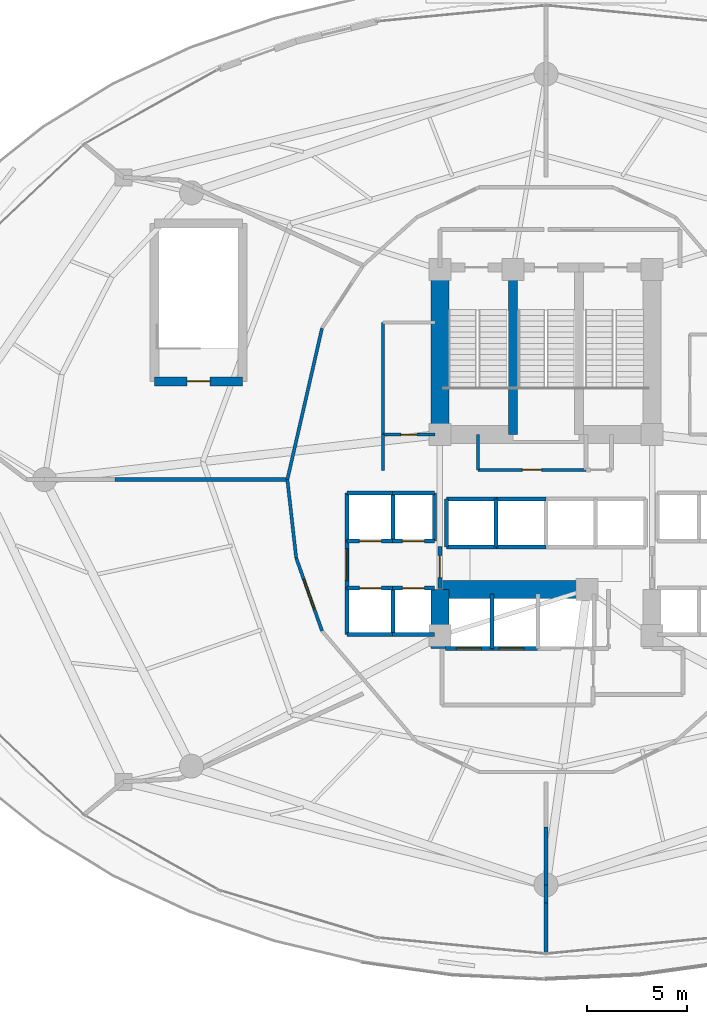
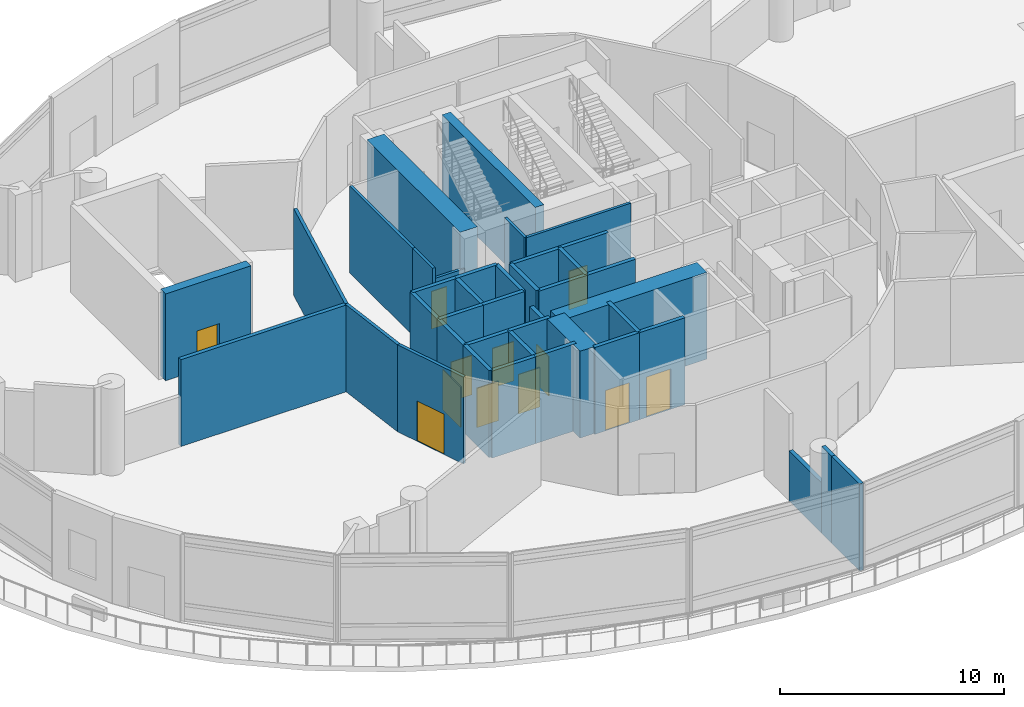
# One storey, part 26 of 34: 41 walls, 12 doors, 12 openings.
"""IFC4 building model written with IfcOpenShell, lengths in metres."""

import ifcopenshell
import ifcopenshell.guid

model = None  # the IFC model being written
_history = None  # IfcOwnerHistory: only IFC2X3 demands one
_inside = {}  # id of a spatial element -> (the spatial element, [elements in it])
_under = {}  # id of a project, library or spatial element -> (it, [spatial elements below it])
_declared = {}  # id of a project -> (the project, [libraries it declares])
_typed = {}  # id of a type object -> (the type object, [elements of that type])
_made_of = {}  # id of a material, layer set ... -> (it, [elements and type objects made of it])


def new_model(schema):
    """Start an empty IFC model of exactly this schema.

    Asked for "IFC4X3", IfcOpenShell would pick the latest addendum, in which some entities
    have other attributes; the version numbers below select the first issue.
    IFC2X3 requires an IfcOwnerHistory on every rooted entity: one is made here for all.
    """
    global model, _history
    if schema == "IFC4X3":
        model = ifcopenshell.file(schema_version=(4, 3, 0, 0))
    else:
        model = ifcopenshell.file(schema=schema)
    _inside.clear()
    _under.clear()
    _declared.clear()
    _typed.clear()
    _made_of.clear()
    _history = None
    if model.schema == "IFC2X3":
        org = make("IfcOrganization", Name="unknown")
        user = make(
            "IfcPersonAndOrganization",
            ThePerson=make("IfcPerson", FamilyName="unknown"),
            TheOrganization=org,
        )
        app = make(
            "IfcApplication",
            ApplicationDeveloper=org,
            Version="unknown",
            ApplicationFullName="unknown",
            ApplicationIdentifier="unknown",
        )
        _history = make(
            "IfcOwnerHistory",
            OwningUser=user,
            OwningApplication=app,
            ChangeAction="ADDED",
            CreationDate=0,
        )
    return model


def make(cls, **values):
    """One entity of the class cls with the attributes given. An attribute that is None is left unset."""
    return model.create_entity(
        cls, **{name: value for name, value in values.items() if value is not None}
    )


def rooted(cls, **values):
    """An entity with a GlobalId (a new one), such as an element, a storey or a relation."""
    return make(cls, GlobalId=ifcopenshell.guid.new(), OwnerHistory=_history, **values)


def si_unit(unit_type, name, prefix=None):
    """IfcSIUnit, for example si_unit("LENGTHUNIT", "METRE", prefix="MILLI")."""
    return make("IfcSIUnit", UnitType=unit_type, Prefix=prefix, Name=name)


def assignment(units):
    """IfcUnitAssignment: the units of a project."""
    return None if units is None else make("IfcUnitAssignment", Units=units)


def point(xyz):
    """IfcCartesianPoint."""
    return None if xyz is None else make("IfcCartesianPoint", Coordinates=xyz)


def direction(xyz):
    """IfcDirection."""
    return None if xyz is None else make("IfcDirection", DirectionRatios=xyz)


def frame(location, z_axis=None, x_axis=None):
    """IfcAxis2Placement3D, a coordinate frame: its origin and axes. An axis left out is left unset."""
    return make(
        "IfcAxis2Placement3D",
        Location=point(location),
        Axis=direction(z_axis),
        RefDirection=direction(x_axis),
    )


def frame_2d(location, x_axis=None):
    """IfcAxis2Placement2D, a coordinate frame in the plane: its origin and x axis."""
    return make(
        "IfcAxis2Placement2D", Location=point(location), RefDirection=direction(x_axis)
    )


def origin():
    """The frame at (0, 0, 0) with its axes left unset."""
    return frame((0.0, 0.0, 0.0))


def place(relative_to, where):
    """IfcLocalPlacement: puts the frame where relative to a parent placement (None: the world)."""
    return make(
        "IfcLocalPlacement", PlacementRelTo=relative_to, RelativePlacement=where
    )


def context(
    kind, dimensions, precision=None, world=None, true_north=None, identifier=None
):
    """IfcGeometricRepresentationContext, for example the 3D "Model" context."""
    return make(
        "IfcGeometricRepresentationContext",
        ContextIdentifier=identifier,
        ContextType=kind,
        CoordinateSpaceDimension=dimensions,
        Precision=precision,
        WorldCoordinateSystem=world,
        TrueNorth=true_north,
    )


def subcontext(parent, identifier, kind, view, scale=None):
    """IfcGeometricRepresentationSubContext, for example "Body" below "Model"."""
    return make(
        "IfcGeometricRepresentationSubContext",
        ContextIdentifier=identifier,
        ContextType=kind,
        ParentContext=parent,
        TargetScale=scale,
        TargetView=view,
    )


def project(units=None, contexts=None):
    """IfcProject with its units and contexts."""
    return rooted(
        "IfcProject",
        Name="project",
        RepresentationContexts=contexts,
        UnitsInContext=assignment(units),
    )


def spatial(cls, under=None, at=None, **own):
    """A site, building, storey or space (cls), placed at a placement, below another one or the project."""
    s = rooted(cls, ObjectPlacement=at, **own)
    if under is not None:
        _under.setdefault(under.id(), (under, []))[1].append(s)
    return s


def profile(cls, at=None, kind="AREA", **sizes):
    """A parametric profile (cls). Its sizes go by their IFC names, for example OverallWidth=200.0."""
    return make(cls, ProfileType=kind, Position=at, **sizes)


def rectangle(**sizes):
    """IfcRectangleProfileDef."""
    return profile("IfcRectangleProfileDef", **sizes)


def extrude(swept, where, along, depth):
    """IfcExtrudedAreaSolid: the profile swept, set in the frame where, extruded along a direction by depth."""
    return make(
        "IfcExtrudedAreaSolid",
        SweptArea=swept,
        Position=where,
        ExtrudedDirection=direction(along),
        Depth=depth,
    )


def shape(context_of_items, identifier, shape_type, items):
    """IfcShapeRepresentation: the items that make up one representation, for example the "Body"."""
    return make(
        "IfcShapeRepresentation",
        ContextOfItems=context_of_items,
        RepresentationIdentifier=identifier,
        RepresentationType=shape_type,
        Items=items,
    )


def material(Name=None, Category=None):
    """IfcMaterial."""
    return make("IfcMaterial", Name=Name, Category=Category)


def layer(
    of_material, thickness, ventilated=None, Name=None, Category=None, Priority=None
):
    """IfcMaterialLayer: one layer of a wall or slab, of a material (None: an air gap)."""
    return make(
        "IfcMaterialLayer",
        Material=of_material,
        LayerThickness=thickness,
        IsVentilated=ventilated,
        Name=Name,
        Category=Category,
        Priority=Priority,
    )


def layer_set(layers, Name=None):
    """IfcMaterialLayerSet."""
    return make("IfcMaterialLayerSet", MaterialLayers=layers, LayerSetName=Name)


def made_of(thing, what):
    """Note that an element or type object is made of a material, layer set ...; save() writes the relation."""
    if what is not None:
        _made_of.setdefault(what.id(), (what, []))[1].append(thing)
    return thing


def type_object(cls, material=None, **own):
    """A type object (cls), such as IfcWallType, which elements share."""
    return made_of(rooted(cls, **own), material)


def element(
    cls,
    number,
    at=None,
    inside=None,
    cuts=None,
    type_object=None,
    material=None,
    context=None,
    identifier="Body",
    shape_type=None,
    held_by="IfcProductDefinitionShape",
    body=None,
    shapes=None,
    **own,
):
    """One element of the class cls, such as IfcWall. Its Tag is "e" and its number.

    at: its placement. inside: the storey or other place that contains it. cuts: it is an
    opening in that element (IfcRelVoidsElement). A single representation is given by context,
    identifier, shape_type and body (its items); several are given by shapes. held_by: the class
    of the entity that holds the representations. save() writes the other relations.
    """
    e = rooted(cls, Tag="e%d" % number, ObjectPlacement=at, **own)
    if body is not None:
        shapes = [shape(context, identifier, shape_type, body)]
    if shapes is not None:
        e.Representation = make(held_by, Representations=shapes)
    if inside is not None:
        _inside.setdefault(inside.id(), (inside, []))[1].append(e)
    if cuts is not None:
        rooted(
            "IfcRelVoidsElement", RelatingBuildingElement=cuts, RelatedOpeningElement=e
        )
    if type_object is not None:
        _typed.setdefault(type_object.id(), (type_object, []))[1].append(e)
    return made_of(e, material)


def fill(opening, filler):
    """IfcRelFillsElement: the door or window that sits in an opening."""
    return rooted(
        "IfcRelFillsElement",
        RelatingOpeningElement=opening,
        RelatedBuildingElement=filler,
    )


def aggregate(whole, parts):
    """IfcRelAggregates: a whole, such as a stair, and the parts it consists of."""
    return rooted("IfcRelAggregates", RelatingObject=whole, RelatedObjects=parts)


def save(model, path):
    """Write the relations noted so far, then the file.

    IfcRelAggregates (storeys below a building ...), IfcRelContainedInSpatialStructure (elements
    in a storey), IfcRelDefinesByType, IfcRelAssociatesMaterial and IfcRelDeclares: one each for
    every whole, place, type object, material and project.
    """
    for whole, parts in _under.values():
        aggregate(whole, parts)
    for where, things in _inside.values():
        rooted(
            "IfcRelContainedInSpatialStructure",
            RelatedElements=things,
            RelatingStructure=where,
        )
    for kind, things in _typed.values():
        rooted("IfcRelDefinesByType", RelatedObjects=things, RelatingType=kind)
    for what, things in _made_of.values():
        rooted("IfcRelAssociatesMaterial", RelatedObjects=things, RelatingMaterial=what)
    for by, libraries in _declared.values():
        rooted("IfcRelDeclares", RelatingContext=by, RelatedDefinitions=libraries)
    model.write(path)


model = new_model("IFC4")

# Units and contexts
model_context = context("Model", 3, precision=1e-05, world=origin(), true_north=direction((0.0, 1.0)))
body_context = subcontext(model_context, "Body", "Model", "MODEL_VIEW")
ifc_project = project(units=[si_unit("LENGTHUNIT", "METRE"), si_unit("AREAUNIT", "SQUARE_METRE"), si_unit("VOLUMEUNIT", "CUBIC_METRE"), si_unit("PLANEANGLEUNIT", "RADIAN"), si_unit("MASSUNIT", "GRAM", prefix="KILO")], contexts=[model_context])

# Site, building, storey
site_placement = place(None, origin())
site = spatial("IfcSite", under=ifc_project, at=site_placement, CompositionType="ELEMENT")
building_placement = place(site_placement, origin())
building = spatial("IfcBuilding", under=site, at=building_placement, Name="Nuhasar Tower", CompositionType="ELEMENT")
storey_placement = place(building_placement, frame((0.0, 0.0, 16.0)))
storey = spatial("IfcBuildingStorey", under=building, at=storey_placement, Name="L03", CompositionType="ELEMENT", Elevation=16.0)

# Wall
ifc_material_1 = material(Name="Concrete C50/60", Category="concrete")
ifc_layer_1 = layer(ifc_material_1, 0.449951171875)
ifc_layer_set_1 = layer_set([ifc_layer_1], Name="Concrete C50/60")
wall_type_1 = type_object("IfcWallType", Name="WL-CORE-450", PredefinedType="SHEAR", material=ifc_layer_set_1)
wall_1_placement = place(storey_placement, frame((37.35009765625, 29.050048828125, 0.0), z_axis=(0.0, 0.0, 1.0), x_axis=(0.0, 1.0, 0.0)))
element("IfcWall", 1, at=wall_1_placement, inside=storey, type_object=wall_type_1, Name="L03 Stairwell Shear Wall ST01-E", PredefinedType="SHEAR", context=body_context, shape_type="SweptSolid", body=[
    extrude(rectangle(XDim=8.349853515625, YDim=0.449951171875, at=frame_2d((4.1748046875, 0.0))), origin(), (0.0, 0.0, 1.0), 4.739990234375),
])

# Wall, opening, door
wall_2_placement = place(storey_placement, frame((19.449951171875, 31.699951171875, 0.0), z_axis=(0.0, 0.0, 1.0), x_axis=(1.0, 0.0, 0.0)))
wall_2 = element("IfcWall", 2, at=wall_2_placement, inside=storey, type_object=wall_type_1, Name="L03 Stairwell Shear Wall ST-04-S", PredefinedType="SHEAR", context=body_context, shape_type="SweptSolid", body=[
    extrude(rectangle(XDim=4.400146484375, YDim=0.449951171875, at=frame_2d((2.2001953125, 0.0))), origin(), (0.0, 0.0, 1.0), 4.739990234375),
])
opening_1_placement = place(wall_2_placement, frame((1.625, 0.0, 0.0)))
opening_1 = element("IfcOpeningElement", 3, at=opening_1_placement, cuts=wall_2, Name="Opening DS-01", PredefinedType="OPENING", context=body_context, shape_type="SweptSolid", body=[
    extrude(rectangle(XDim=1.14990234375, YDim=2.14990234375, at=frame_2d((0.574951171875, 1.074951171875))), frame((0.0, 0.23486328125, 0.0), z_axis=(0.0, -1.0, 0.0), x_axis=(1.0, 0.0, 0.0)), (0.0, 0.0, 1.0), 0.469970703125),
])
ifc_material_2 = material(Name="Steel S355", Category="steel")
door_type_1 = type_object("IfcDoorType", Name="DR-STAIR-FD120-1150", OperationType="NOTDEFINED", PredefinedType="DOOR", material=ifc_material_2)
door_1_placement = place(opening_1_placement, origin())
door_1 = element("IfcDoor", 4, at=door_1_placement, inside=storey, type_object=door_type_1, Name="L03 Exit Stair ST-04 Door", OperationType="SINGLE_SWING_LEFT", OverallHeight=2.14990234375, OverallWidth=1.14990234375, PredefinedType="DOOR", context=body_context, shape_type="SweptSolid", body=[
    extrude(rectangle(XDim=1.14990234375, YDim=2.14990234375, at=frame_2d((0.574951171875, 1.074951171875))), frame((0.0, 0.02490234375, 0.0), z_axis=(0.0, -1.0, 0.0), x_axis=(1.0, 0.0, 0.0)), (0.0, 0.0, 1.0), 0.050048828125),
])
fill(opening_1, door_1)

# Walls
ifc_material_3 = material(Name="Concrete C80/95", Category="concrete")
ifc_layer_2 = layer(ifc_material_3, 0.89990234375)
ifc_layer_set_2 = layer_set([ifc_layer_2], Name="Concrete C80/95")
wall_type_2 = type_object("IfcWallType", Name="WL-CORE-900", PredefinedType="SHEAR", material=ifc_layer_set_2)
wall_3_placement = place(storey_placement, frame((33.699951171875, 29.050048828125, 0.0), z_axis=(0.0, 0.0, 1.0), x_axis=(0.0, 1.0, 0.0)))
element("IfcWall", 5, at=wall_3_placement, inside=storey, type_object=wall_type_2, Name="L03 Core Shear Wall CW-NW CW-900", PredefinedType="SHEAR", context=body_context, shape_type="SweptSolid", body=[
    extrude(rectangle(XDim=8.349853515625, YDim=0.89990234375, at=frame_2d((4.1748046875, 0.0))), origin(), (0.0, 0.0, 1.0), 4.739990234375),
])
wall_4_placement = place(storey_placement, frame((33.699951171875, 18.35009765625, 0.0), z_axis=(0.0, 0.0, 1.0), x_axis=(0.0, 1.0, 0.0)))
element("IfcWall", 6, at=wall_4_placement, inside=storey, type_object=wall_type_2, Name="L03 Core Shear Wall CW-SW CW-900", PredefinedType="SHEAR", context=body_context, shape_type="SweptSolid", body=[
    extrude(rectangle(XDim=2.949951171875, YDim=0.89990234375, at=frame_2d((1.47509765625, 0.0))), origin(), (0.0, 0.0, 1.0), 4.739990234375),
])
wall_5_placement = place(storey_placement, frame((33.699951171875, 21.300048828125, 0.0), z_axis=(0.0, 0.0, 1.0), x_axis=(1.0, 0.0, 0.0)))
element("IfcWall", 7, at=wall_5_placement, inside=storey, type_object=wall_type_2, Name="L03 Core Shear Wall CW-S1 CW-900", PredefinedType="SHEAR", context=body_context, shape_type="SweptSolid", body=[
    extrude(rectangle(XDim=7.550048828125, YDim=0.89990234375, at=frame_2d((3.77490234375, 0.0))), origin(), (0.0, 0.0, 1.0), 4.739990234375),
])
ifc_material_4 = material(Name="Gypsum Board", Category="gypsum")
ifc_layer_3 = layer(ifc_material_4, 0.159912109375)
ifc_layer_set_3 = layer_set([ifc_layer_3], Name="Gypsum Board")
wall_type_3 = type_object("IfcWallType", Name="WL-CORR-160", PredefinedType="PARTITIONING", material=ifc_layer_set_3)
wall_6_placement = place(storey_placement, frame((27.81103515625, 34.360107421875, 0.0), z_axis=(0.0, 0.0, 1.0), x_axis=(-0.223185487206, -0.974775993909, 0.0)))
element("IfcWall", 8, at=wall_6_placement, inside=storey, type_object=wall_type_3, Name="L03 Interior Partition CORR-20", PredefinedType="PARTITIONING", context=body_context, shape_type="SweptSolid", body=[
    extrude(rectangle(XDim=7.755615234375, YDim=0.159912109375, at=frame_2d((3.8779296875, 0.0))), origin(), (0.0, 0.0, 1.0), 4.739990234375),
])
wall_7_placement = place(storey_placement, frame((26.080078125, 26.800048828125, 0.0), z_axis=(0.0, 0.0, 1.0), x_axis=(0.111724363671, -0.99373923469, 0.0)))
element("IfcWall", 9, at=wall_7_placement, inside=storey, type_object=wall_type_3, Name="L03 Interior Partition CORR-24", PredefinedType="PARTITIONING", context=body_context, shape_type="SweptSolid", body=[
    extrude(rectangle(XDim=3.937744140625, YDim=0.159912109375, at=frame_2d((1.96875, 0.0))), origin(), (0.0, 0.0, 1.0), 4.739990234375),
])

# Wall, opening, door
wall_8_placement = place(storey_placement, frame((27.81103515625, 19.239990234375, 0.0), z_axis=(0.0, 0.0, 1.0), x_axis=(-0.333704620558, 0.942677689467, 0.0)))
wall_8 = element("IfcWall", 10, at=wall_8_placement, inside=storey, type_object=wall_type_3, Name="L03 Interior Partition CORR-26", PredefinedType="PARTITIONING", context=body_context, shape_type="SweptSolid", body=[
    extrude(rectangle(XDim=3.86865234375, YDim=0.159912109375, at=frame_2d((1.934326171875, 0.0))), origin(), (0.0, 0.0, 1.0), 4.739990234375),
])
opening_2_placement = place(wall_8_placement, frame((1.134033203125, 0.0, 0.0)))
opening_2 = element("IfcOpeningElement", 11, at=opening_2_placement, cuts=wall_8, Name="Opening DC-01", PredefinedType="OPENING", context=body_context, shape_type="SweptSolid", body=[
    extrude(rectangle(XDim=1.60009765625, YDim=2.199951171875, at=frame_2d((0.800048828125, 1.10009765625))), frame((0.0, 0.08984375, 0.0), z_axis=(0.0, -1.0, 0.0), x_axis=(1.0, 0.0, 0.0)), (0.0, 0.0, 1.0), 0.179931640625),
])
door_type_2 = type_object("IfcDoorType", Name="DR-CORR-FD60-1600", OperationType="DOUBLE_DOOR_SINGLE_SWING", PredefinedType="DOOR", material=ifc_material_2)
door_2_placement = place(opening_2_placement, origin())
door_2 = element("IfcDoor", 12, at=door_2_placement, inside=storey, type_object=door_type_2, Name="L03 Recovery Clinic Door", OperationType="DOUBLE_DOOR_SINGLE_SWING", OverallHeight=2.199951171875, OverallWidth=1.60009765625, PredefinedType="DOOR", context=body_context, shape_type="SweptSolid", body=[
    extrude(rectangle(XDim=1.60009765625, YDim=2.199951171875, at=frame_2d((0.800048828125, 1.10009765625))), frame((0.0, 0.02490234375, 0.0), z_axis=(0.0, -1.0, 0.0), x_axis=(1.0, 0.0, 0.0)), (0.0, 0.0, 1.0), 0.050048828125),
])
fill(opening_2, door_2)

ifc_material_5 = material(Name="Concrete C45/55", Category="concrete")
ifc_layer_4 = layer(ifc_material_5, 0.199951171875)
ifc_layer_set_4 = layer_set([ifc_layer_4], Name="Concrete C45/55")
wall_type_4 = type_object("IfcWallType", Name="WL-LOBBY-200", PredefinedType="SOLIDWALL", material=ifc_layer_set_4)
wall_9_placement = place(storey_placement, frame((29.070068359375, 21.3798828125, 0.0), z_axis=(0.0, 0.0, 1.0), x_axis=(0.0, 1.0, 0.0)))
wall_9 = element("IfcWall", 13, at=wall_9_placement, inside=storey, type_object=wall_type_4, Name="L03 Interior Partition LLBL-W", PredefinedType="SOLIDWALL", context=body_context, shape_type="SweptSolid", body=[
    extrude(rectangle(XDim=2.340087890625, YDim=0.199951171875, at=frame_2d((1.169921875, 0.0))), origin(), (0.0, 0.0, 1.0), 4.739990234375),
])
opening_3_placement = place(wall_9_placement, frame((0.3701171875, 0.0, 0.0)))
opening_3 = element("IfcOpeningElement", 14, at=opening_3_placement, cuts=wall_9, Name="Opening DC-01", PredefinedType="OPENING", context=body_context, shape_type="SweptSolid", body=[
    extrude(rectangle(XDim=1.60009765625, YDim=2.199951171875, at=frame_2d((0.800048828125, 1.10009765625))), frame((0.0, 0.10986328125, 0.0), z_axis=(0.0, -1.0, 0.0), x_axis=(1.0, 0.0, 0.0)), (0.0, 0.0, 1.0), 0.219970703125),
])
door_3_placement = place(opening_3_placement, origin())
door_3 = element("IfcDoor", 15, at=door_3_placement, inside=storey, type_object=door_type_2, Name="L03 Low-Rise Lift Lobby West Entry", OperationType="DOUBLE_DOOR_SINGLE_SWING", OverallHeight=2.199951171875, OverallWidth=1.60009765625, PredefinedType="DOOR", context=body_context, shape_type="SweptSolid", body=[
    extrude(rectangle(XDim=1.60009765625, YDim=2.199951171875, at=frame_2d((0.800048828125, 1.10009765625))), frame((0.0, 0.02490234375, 0.0), z_axis=(0.0, -1.0, 0.0), x_axis=(1.0, 0.0, 0.0)), (0.0, 0.0, 1.0), 0.050048828125),
])
fill(opening_3, door_3)

wall_10_placement = place(storey_placement, frame((33.699951171875, 21.35009765625, 0.0), z_axis=(0.0, 0.0, 1.0), x_axis=(0.0, 1.0, 0.0)))
wall_10 = element("IfcWall", 16, at=wall_10_placement, inside=storey, type_object=wall_type_4, Name="L03 Interior Partition LLBH-W", PredefinedType="SOLIDWALL", context=body_context, shape_type="SweptSolid", body=[
    extrude(rectangle(XDim=2.099853515625, YDim=0.199951171875, at=frame_2d((1.0498046875, 0.0))), origin(), (0.0, 0.0, 1.0), 3.9599609375),
])
opening_4_placement = place(wall_10_placement, frame((0.550048828125, 0.0, 0.0)))
opening_4 = element("IfcOpeningElement", 17, at=opening_4_placement, cuts=wall_10, Name="Opening DS-02", PredefinedType="OPENING", context=body_context, shape_type="SweptSolid", body=[
    extrude(rectangle(XDim=1.10009765625, YDim=2.14990234375, at=frame_2d((0.550048828125, 1.074951171875))), frame((0.0, 0.10986328125, 0.0), z_axis=(0.0, -1.0, 0.0), x_axis=(1.0, 0.0, 0.0)), (0.0, 0.0, 1.0), 0.219970703125),
])
door_type_3 = type_object("IfcDoorType", Name="DR-FFL-FD120-1100", OperationType="NOTDEFINED", PredefinedType="DOOR", material=ifc_material_2)
door_4_placement = place(opening_4_placement, origin())
door_4 = element("IfcDoor", 18, at=door_4_placement, inside=storey, type_object=door_type_3, Name="L03 High-Rise Lobby West Door", OperationType="SINGLE_SWING_RIGHT", OverallHeight=2.14990234375, OverallWidth=1.10009765625, PredefinedType="DOOR", context=body_context, shape_type="SweptSolid", body=[
    extrude(rectangle(XDim=1.10009765625, YDim=2.14990234375, at=frame_2d((0.550048828125, 1.074951171875))), frame((0.0, 0.02490234375, 0.0), z_axis=(0.0, -1.0, 0.0), x_axis=(1.0, 0.0, 0.0)), (0.0, 0.0, 1.0), 0.050048828125),
])
fill(opening_4, door_4)

ifc_layer_5 = layer(ifc_material_5, 0.199951171875)
ifc_layer_set_5 = layer_set([ifc_layer_5], Name="Concrete C45/55")
wall_type_5 = type_object("IfcWallType", Name="WL-SHAFT-200", PredefinedType="SOLIDWALL", material=ifc_layer_set_5)
wall_11_placement = place(storey_placement, frame((29.070068359375, 23.719970703125, 0.0), z_axis=(0.0, 0.0, 1.0), x_axis=(1.0, 0.0, 0.0)))
wall_11 = element("IfcWall", 19, at=wall_11_placement, inside=storey, type_object=wall_type_5, Name="L03 Interior Partition SHF-PL-L01-S", PredefinedType="SOLIDWALL", context=body_context, shape_type="SweptSolid", body=[
    extrude(rectangle(XDim=2.309814453125, YDim=0.199951171875, at=frame_2d((1.15478515625, 0.0))), origin(), (0.0, 0.0, 1.0), 4.739990234375),
])
opening_5_placement = place(wall_11_placement, frame((0.60498046875, 0.0, 0.0)))
opening_5 = element("IfcOpeningElement", 20, at=opening_5_placement, cuts=wall_11, Name="Opening LD-L01", PredefinedType="OPENING", context=body_context, shape_type="SweptSolid", body=[
    extrude(rectangle(XDim=1.10009765625, YDim=2.14990234375, at=frame_2d((0.550048828125, 1.074951171875))), frame((0.0, 0.10986328125, 0.0), z_axis=(0.0, -1.0, 0.0), x_axis=(1.0, 0.0, 0.0)), (0.0, 0.0, 1.0), 0.219970703125),
])
ifc_material_6 = material(Name="Stainless Steel 316L", Category="steel")
door_type_4 = type_object("IfcDoorType", Name="LD-PAX-1100", OperationType="DOUBLE_DOOR_SLIDING", PredefinedType="DOOR", material=ifc_material_6)
door_5_placement = place(opening_5_placement, origin())
door_5 = element("IfcDoor", 21, at=door_5_placement, inside=storey, type_object=door_type_4, Name="L03 Lift Landing Door PL-L01", OperationType="DOUBLE_DOOR_SLIDING", OverallHeight=2.14990234375, OverallWidth=1.10009765625, PredefinedType="DOOR", context=body_context, shape_type="SweptSolid", body=[
    extrude(rectangle(XDim=1.10009765625, YDim=2.14990234375, at=frame_2d((0.550048828125, 1.074951171875))), frame((0.0, 0.02490234375, 0.0), z_axis=(0.0, -1.0, 0.0), x_axis=(1.0, 0.0, 0.0)), (0.0, 0.0, 1.0), 0.050048828125),
])
fill(opening_5, door_5)

# Walls
wall_12_placement = place(storey_placement, frame((29.070068359375, 26.1298828125, 0.0), z_axis=(0.0, 0.0, 1.0), x_axis=(1.0, 0.0, 0.0)))
element("IfcWall", 22, at=wall_12_placement, inside=storey, type_object=wall_type_5, Name="L03 Interior Partition SHF-PL-L01-N", PredefinedType="SOLIDWALL", context=body_context, shape_type="SweptSolid", body=[
    extrude(rectangle(XDim=2.309814453125, YDim=0.199951171875, at=frame_2d((1.15478515625, 0.0))), origin(), (0.0, 0.0, 1.0), 4.739990234375),
])
for number, where, z_axis, x_axis, name in (
    (23, (29.070068359375, 23.719970703125, 0.0), (0.0, 0.0, 1.0), (0.0, 1.0, 0.0), "L03 Interior Partition SHF-PL-L01-W"),
    (24, (31.35009765625, 23.719970703125, 0.0), (0.0, 0.0, 1.0), (0.0, 1.0, 0.0), "L03 Interior Partition SHF-PL-L01-E"),
):
    element("IfcWall", number, at=place(storey_placement, frame(where, z_axis=z_axis, x_axis=x_axis)), inside=storey, type_object=wall_type_5, Name=name, PredefinedType="SOLIDWALL", context=body_context, shape_type="SweptSolid", body=[
        extrude(rectangle(XDim=2.409912109375, YDim=0.199951171875, at=frame_2d((1.205078125, 0.0))), origin(), (0.0, 0.0, 1.0), 4.739990234375),
    ])

# Wall, opening, door
wall_13_placement = place(storey_placement, frame((31.320068359375, 23.719970703125, 0.0), z_axis=(0.0, 0.0, 1.0), x_axis=(1.0, 0.0, 0.0)))
wall_13 = element("IfcWall", 25, at=wall_13_placement, inside=storey, type_object=wall_type_5, Name="L03 Interior Partition SHF-PL-L02-S", PredefinedType="SOLIDWALL", context=body_context, shape_type="SweptSolid", body=[
    extrude(rectangle(XDim=2.10986328125, YDim=0.199951171875, at=frame_2d((1.054931640625, 0.0))), origin(), (0.0, 0.0, 1.0), 4.739990234375),
])
opening_6_placement = place(wall_13_placement, frame((0.5048828125, 0.0, 0.0)))
opening_6 = element("IfcOpeningElement", 26, at=opening_6_placement, cuts=wall_13, Name="Opening LD-L02", PredefinedType="OPENING", context=body_context, shape_type="SweptSolid", body=[
    extrude(rectangle(XDim=1.10009765625, YDim=2.14990234375, at=frame_2d((0.550048828125, 1.074951171875))), frame((0.0, 0.10986328125, 0.0), z_axis=(0.0, -1.0, 0.0), x_axis=(1.0, 0.0, 0.0)), (0.0, 0.0, 1.0), 0.219970703125),
])
door_6_placement = place(opening_6_placement, origin())
door_6 = element("IfcDoor", 27, at=door_6_placement, inside=storey, type_object=door_type_4, Name="L03 Lift Landing Door PL-L02", OperationType="DOUBLE_DOOR_SLIDING", OverallHeight=2.14990234375, OverallWidth=1.10009765625, PredefinedType="DOOR", context=body_context, shape_type="SweptSolid", body=[
    extrude(rectangle(XDim=1.10009765625, YDim=2.14990234375, at=frame_2d((0.550048828125, 1.074951171875))), frame((0.0, 0.02490234375, 0.0), z_axis=(0.0, -1.0, 0.0), x_axis=(1.0, 0.0, 0.0)), (0.0, 0.0, 1.0), 0.050048828125),
])
fill(opening_6, door_6)

# Walls
wall_14_placement = place(storey_placement, frame((31.320068359375, 26.1298828125, 0.0), z_axis=(0.0, 0.0, 1.0), x_axis=(1.0, 0.0, 0.0)))
element("IfcWall", 28, at=wall_14_placement, inside=storey, type_object=wall_type_5, Name="L03 Interior Partition SHF-PL-L02-N", PredefinedType="SOLIDWALL", context=body_context, shape_type="SweptSolid", body=[
    extrude(rectangle(XDim=2.10986328125, YDim=0.199951171875, at=frame_2d((1.054931640625, 0.0))), origin(), (0.0, 0.0, 1.0), 4.739990234375),
])
wall_15_placement = place(storey_placement, frame((33.429931640625, 23.719970703125, 0.0), z_axis=(0.0, 0.0, 1.0), x_axis=(0.0, 1.0, 0.0)))
element("IfcWall", 29, at=wall_15_placement, inside=storey, type_object=wall_type_5, Name="L03 Interior Partition SHF-PL-L02-E", PredefinedType="SOLIDWALL", context=body_context, shape_type="SweptSolid", body=[
    extrude(rectangle(XDim=2.409912109375, YDim=0.199951171875, at=frame_2d((1.205078125, 0.0))), origin(), (0.0, 0.0, 1.0), 4.739990234375),
])
wall_16_placement = place(storey_placement, frame((29.070068359375, 19.070068359375, 0.0), z_axis=(0.0, 0.0, 1.0), x_axis=(1.0, 0.0, 0.0)))
element("IfcWall", 30, at=wall_16_placement, inside=storey, type_object=wall_type_5, Name="L03 Interior Partition SHF-PL-L03-S", PredefinedType="SOLIDWALL", context=body_context, shape_type="SweptSolid", body=[
    extrude(rectangle(XDim=2.309814453125, YDim=0.199951171875, at=frame_2d((1.15478515625, 0.0))), origin(), (0.0, 0.0, 1.0), 4.739990234375),
])

# Wall, opening, door
wall_17_placement = place(storey_placement, frame((29.070068359375, 21.3798828125, 0.0), z_axis=(0.0, 0.0, 1.0), x_axis=(1.0, 0.0, 0.0)))
wall_17 = element("IfcWall", 31, at=wall_17_placement, inside=storey, type_object=wall_type_5, Name="L03 Interior Partition SHF-PL-L03-N", PredefinedType="SOLIDWALL", context=body_context, shape_type="SweptSolid", body=[
    extrude(rectangle(XDim=2.309814453125, YDim=0.199951171875, at=frame_2d((1.15478515625, 0.0))), origin(), (0.0, 0.0, 1.0), 4.739990234375),
])
opening_7_placement = place(wall_17_placement, frame((0.60498046875, 0.0, 0.0)))
opening_7 = element("IfcOpeningElement", 32, at=opening_7_placement, cuts=wall_17, Name="Opening LD-L03", PredefinedType="OPENING", context=body_context, shape_type="SweptSolid", body=[
    extrude(rectangle(XDim=1.10009765625, YDim=2.14990234375, at=frame_2d((0.550048828125, 1.074951171875))), frame((0.0, 0.10986328125, 0.0), z_axis=(0.0, -1.0, 0.0), x_axis=(1.0, 0.0, 0.0)), (0.0, 0.0, 1.0), 0.219970703125),
])
door_7_placement = place(opening_7_placement, origin())
door_7 = element("IfcDoor", 33, at=door_7_placement, inside=storey, type_object=door_type_4, Name="L03 Lift Landing Door PL-L03", OperationType="DOUBLE_DOOR_SLIDING", OverallHeight=2.14990234375, OverallWidth=1.10009765625, PredefinedType="DOOR", context=body_context, shape_type="SweptSolid", body=[
    extrude(rectangle(XDim=1.10009765625, YDim=2.14990234375, at=frame_2d((0.550048828125, 1.074951171875))), frame((0.0, 0.02490234375, 0.0), z_axis=(0.0, -1.0, 0.0), x_axis=(1.0, 0.0, 0.0)), (0.0, 0.0, 1.0), 0.050048828125),
])
fill(opening_7, door_7)

# Walls
for number, where, z_axis, x_axis, name in (
    (34, (29.070068359375, 19.070068359375, 0.0), (0.0, 0.0, 1.0), (0.0, 1.0, 0.0), "L03 Interior Partition SHF-PL-L03-W"),
    (35, (31.35009765625, 19.070068359375, 0.0), (0.0, 0.0, 1.0), (0.0, 1.0, 0.0), "L03 Interior Partition SHF-PL-L03-E"),
):
    element("IfcWall", number, at=place(storey_placement, frame(where, z_axis=z_axis, x_axis=x_axis)), inside=storey, type_object=wall_type_5, Name=name, PredefinedType="SOLIDWALL", context=body_context, shape_type="SweptSolid", body=[
        extrude(rectangle(XDim=2.309814453125, YDim=0.199951171875, at=frame_2d((1.15478515625, 0.0))), origin(), (0.0, 0.0, 1.0), 4.739990234375),
    ])
wall_18_placement = place(storey_placement, frame((31.320068359375, 19.070068359375, 0.0), z_axis=(0.0, 0.0, 1.0), x_axis=(1.0, 0.0, 0.0)))
element("IfcWall", 36, at=wall_18_placement, inside=storey, type_object=wall_type_5, Name="L03 Interior Partition SHF-PL-L04-S", PredefinedType="SOLIDWALL", context=body_context, shape_type="SweptSolid", body=[
    extrude(rectangle(XDim=2.10986328125, YDim=0.199951171875, at=frame_2d((1.054931640625, 0.0))), origin(), (0.0, 0.0, 1.0), 4.739990234375),
])

# Wall, opening, door
wall_19_placement = place(storey_placement, frame((31.320068359375, 21.3798828125, 0.0), z_axis=(0.0, 0.0, 1.0), x_axis=(1.0, 0.0, 0.0)))
wall_19 = element("IfcWall", 37, at=wall_19_placement, inside=storey, type_object=wall_type_5, Name="L03 Interior Partition SHF-PL-L04-N", PredefinedType="SOLIDWALL", context=body_context, shape_type="SweptSolid", body=[
    extrude(rectangle(XDim=2.10986328125, YDim=0.199951171875, at=frame_2d((1.054931640625, 0.0))), origin(), (0.0, 0.0, 1.0), 4.739990234375),
])
opening_8_placement = place(wall_19_placement, frame((0.5048828125, 0.0, 0.0)))
opening_8 = element("IfcOpeningElement", 38, at=opening_8_placement, cuts=wall_19, Name="Opening LD-L04", PredefinedType="OPENING", context=body_context, shape_type="SweptSolid", body=[
    extrude(rectangle(XDim=1.10009765625, YDim=2.14990234375, at=frame_2d((0.550048828125, 1.074951171875))), frame((0.0, 0.10986328125, 0.0), z_axis=(0.0, -1.0, 0.0), x_axis=(1.0, 0.0, 0.0)), (0.0, 0.0, 1.0), 0.219970703125),
])
door_8_placement = place(opening_8_placement, origin())
door_8 = element("IfcDoor", 39, at=door_8_placement, inside=storey, type_object=door_type_4, Name="L03 Lift Landing Door PL-L04", OperationType="DOUBLE_DOOR_SLIDING", OverallHeight=2.14990234375, OverallWidth=1.10009765625, PredefinedType="DOOR", context=body_context, shape_type="SweptSolid", body=[
    extrude(rectangle(XDim=1.10009765625, YDim=2.14990234375, at=frame_2d((0.550048828125, 1.074951171875))), frame((0.0, 0.02490234375, 0.0), z_axis=(0.0, -1.0, 0.0), x_axis=(1.0, 0.0, 0.0)), (0.0, 0.0, 1.0), 0.050048828125),
])
fill(opening_8, door_8)

# Walls
for number, where, z_axis, x_axis, name in (
    (40, (34.02001953125, 23.419921875, 0.0), (0.0, 0.0, 1.0), (1.0, 0.0, 0.0), "L03 Interior Partition SHF-PL-H01-S"),
    (41, (34.02001953125, 25.830078125, 0.0), (0.0, 0.0, 1.0), (1.0, 0.0, 0.0), "L03 Interior Partition SHF-PL-H01-N"),
):
    element("IfcWall", number, at=place(storey_placement, frame(where, z_axis=z_axis, x_axis=x_axis)), inside=storey, type_object=wall_type_5, Name=name, PredefinedType="SOLIDWALL", context=body_context, shape_type="SweptSolid", body=[
        extrude(rectangle(XDim=2.5, YDim=0.199951171875, at=frame_2d((1.25, 0.0))), origin(), (0.0, 0.0, 1.0), 4.739990234375),
    ])
for number, where, z_axis, x_axis, name in (
    (42, (34.02001953125, 23.419921875, 0.0), (0.0, 0.0, 1.0), (0.0, 1.0, 0.0), "L03 Interior Partition SHF-PL-H01-W"),
    (43, (36.510009765625, 23.419921875, 0.0), (0.0, 0.0, 1.0), (0.0, 1.0, 0.0), "L03 Interior Partition SHF-PL-H01-E"),
):
    element("IfcWall", number, at=place(storey_placement, frame(where, z_axis=z_axis, x_axis=x_axis)), inside=storey, type_object=wall_type_5, Name=name, PredefinedType="SOLIDWALL", context=body_context, shape_type="SweptSolid", body=[
        extrude(rectangle(XDim=2.41015625, YDim=0.199951171875, at=frame_2d((1.205078125, 0.0))), origin(), (0.0, 0.0, 1.0), 4.739990234375),
    ])
for number, where, z_axis, x_axis, name in (
    (44, (36.5, 23.419921875, 0.0), (0.0, 0.0, 1.0), (1.0, 0.0, 0.0), "L03 Interior Partition SHF-PL-H02-S"),
    (45, (36.5, 25.830078125, 0.0), (0.0, 0.0, 1.0), (1.0, 0.0, 0.0), "L03 Interior Partition SHF-PL-H02-N"),
):
    element("IfcWall", number, at=place(storey_placement, frame(where, z_axis=z_axis, x_axis=x_axis)), inside=storey, type_object=wall_type_5, Name=name, PredefinedType="SOLIDWALL", context=body_context, shape_type="SweptSolid", body=[
        extrude(rectangle(XDim=2.5, YDim=0.199951171875, at=frame_2d((1.25, 0.0))), origin(), (0.0, 0.0, 1.0), 4.739990234375),
    ])

# Wall, opening, door
wall_20_placement = place(storey_placement, frame((33.969970703125, 18.3701171875, 0.0), z_axis=(0.0, 0.0, 1.0), x_axis=(1.0, 0.0, 0.0)))
wall_20 = element("IfcWall", 46, at=wall_20_placement, inside=storey, type_object=wall_type_5, Name="L03 Interior Partition SHF-FFL-01-S", PredefinedType="SOLIDWALL", context=body_context, shape_type="SweptSolid", body=[
    extrude(rectangle(XDim=2.360107421875, YDim=0.199951171875, at=frame_2d((1.18017578125, 0.0))), origin(), (0.0, 0.0, 1.0), 4.739990234375),
])
opening_9_placement = place(wall_20_placement, frame((0.554931640625, 0.0, 0.0)))
opening_9 = element("IfcOpeningElement", 47, at=opening_9_placement, cuts=wall_20, Name="Opening LD-F01", PredefinedType="OPENING", context=body_context, shape_type="SweptSolid", body=[
    extrude(rectangle(XDim=1.25, YDim=2.199951171875, at=frame_2d((0.625, 1.10009765625))), frame((0.0, 0.10986328125, 0.0), z_axis=(0.0, -1.0, 0.0), x_axis=(1.0, 0.0, 0.0)), (0.0, 0.0, 1.0), 0.219970703125),
])
door_type_5 = type_object("IfcDoorType", Name="LD-FFL-1250", OperationType="DOUBLE_DOOR_SLIDING", PredefinedType="DOOR", material=ifc_material_6)
door_9_placement = place(opening_9_placement, origin())
door_9 = element("IfcDoor", 48, at=door_9_placement, inside=storey, type_object=door_type_5, Name="L03 Lift Landing Door FFL-01", OperationType="DOUBLE_DOOR_SLIDING", OverallHeight=2.199951171875, OverallWidth=1.25, PredefinedType="DOOR", context=body_context, shape_type="SweptSolid", body=[
    extrude(rectangle(XDim=1.25, YDim=2.199951171875, at=frame_2d((0.625, 1.10009765625))), frame((0.0, 0.02490234375, 0.0), z_axis=(0.0, -1.0, 0.0), x_axis=(1.0, 0.0, 0.0)), (0.0, 0.0, 1.0), 0.050048828125),
])
fill(opening_9, door_9)

# Wall
wall_21_placement = place(storey_placement, frame((36.300048828125, 18.3701171875, 0.0), z_axis=(0.0, 0.0, 1.0), x_axis=(0.0, 1.0, 0.0)))
element("IfcWall", 49, at=wall_21_placement, inside=storey, type_object=wall_type_5, Name="L03 Interior Partition SHF-FFL-01-E", PredefinedType="SOLIDWALL", context=body_context, shape_type="SweptSolid", body=[
    extrude(rectangle(XDim=2.7099609375, YDim=0.199951171875, at=frame_2d((1.35498046875, 0.0))), origin(), (0.0, 0.0, 1.0), 4.739990234375),
])

# Wall, opening, door
wall_22_placement = place(storey_placement, frame((36.27001953125, 18.3701171875, 0.0), z_axis=(0.0, 0.0, 1.0), x_axis=(1.0, 0.0, 0.0)))
wall_22 = element("IfcWall", 50, at=wall_22_placement, inside=storey, type_object=wall_type_5, Name="L03 Interior Partition SHF-FFL-02-S", PredefinedType="SOLIDWALL", context=body_context, shape_type="SweptSolid", body=[
    extrude(rectangle(XDim=2.35986328125, YDim=0.199951171875, at=frame_2d((1.179931640625, 0.0))), origin(), (0.0, 0.0, 1.0), 4.739990234375),
])
opening_10_placement = place(wall_22_placement, frame((0.3798828125, 0.0, 0.0)))
opening_10 = element("IfcOpeningElement", 51, at=opening_10_placement, cuts=wall_22, Name="Opening LD-F02", PredefinedType="OPENING", context=body_context, shape_type="SweptSolid", body=[
    extrude(rectangle(XDim=1.25, YDim=2.199951171875, at=frame_2d((0.625, 1.10009765625))), frame((0.0, 0.10986328125, 0.0), z_axis=(0.0, -1.0, 0.0), x_axis=(1.0, 0.0, 0.0)), (0.0, 0.0, 1.0), 0.219970703125),
])
door_10_placement = place(opening_10_placement, origin())
door_10 = element("IfcDoor", 52, at=door_10_placement, inside=storey, type_object=door_type_5, Name="L03 Lift Landing Door FFL-02", OperationType="DOUBLE_DOOR_SLIDING", OverallHeight=2.199951171875, OverallWidth=1.25, PredefinedType="DOOR", context=body_context, shape_type="SweptSolid", body=[
    extrude(rectangle(XDim=1.25, YDim=2.199951171875, at=frame_2d((0.625, 1.10009765625))), frame((0.0, 0.02490234375, 0.0), z_axis=(0.0, -1.0, 0.0), x_axis=(1.0, 0.0, 0.0)), (0.0, 0.0, 1.0), 0.050048828125),
])
fill(opening_10, door_10)

# Walls
ifc_material_7 = material(Name="Concrete C40/50 precast", Category="concrete")
ifc_layer_6 = layer(ifc_material_7, 0.199951171875)
ifc_layer_set_6 = layer_set([ifc_layer_6], Name="Concrete C40/50 precast")
wall_type_6 = type_object("IfcWallType", Name="WL-UNIT-200", PredefinedType="PARTITIONING", material=ifc_layer_set_6)
wall_23_placement = place(storey_placement, frame((26.080078125, 26.800048828125, 0.0), z_axis=(0.0, 0.0, 1.0), x_axis=(-1.0, 0.0, 0.0)))
element("IfcWall", 53, at=wall_23_placement, inside=storey, type_object=wall_type_6, Name="L03 Interior Partition PRAD-24-S1", PredefinedType="PARTITIONING", context=body_context, shape_type="SweptSolid", body=[
    extrude(rectangle(XDim=8.60205078125, YDim=0.199951171875, at=frame_2d((4.301025390625, 0.0))), origin(), (0.0, 0.0, 1.0), 4.739990234375),
])
wall_24_placement = place(storey_placement, frame((39.0, 9.448974609375, 0.0), z_axis=(0.0, 0.0, 1.0), x_axis=(0.0, -1.0, 0.0)))
element("IfcWall", 54, at=wall_24_placement, inside=storey, type_object=wall_type_6, Name="L03 Interior Partition PRAD-36-S1", PredefinedType="PARTITIONING", context=body_context, shape_type="SweptSolid", body=[
    extrude(rectangle(XDim=2.9130859375, YDim=0.199951171875, at=frame_2d((1.45654296875, 0.0))), origin(), (0.0, 0.0, 1.0), 2.739990234375),
])
wall_25_placement = place(storey_placement, frame((39.0, 6.535888671875, 0.0), z_axis=(0.0, 0.0, 1.0), x_axis=(0.0, -1.0, 0.0)))
element("IfcWall", 55, at=wall_25_placement, inside=storey, type_object=wall_type_6, Name="L03 Interior Partition PRAD-36-S1", PredefinedType="PARTITIONING", context=body_context, shape_type="SweptSolid", body=[
    extrude(rectangle(XDim=0.885986328125, YDim=0.199951171875, at=frame_2d((0.44287109375, 0.0))), origin(), (0.0, 0.0, 1.0), 4.739990234375),
])
wall_26_placement = place(storey_placement, frame((39.0, 5.64990234375, 0.0), z_axis=(0.0, 0.0, 1.0), x_axis=(0.0, -1.0, 0.0)))
element("IfcWall", 56, at=wall_26_placement, inside=storey, type_object=wall_type_6, Name="L03 Interior Partition PRAD-36-S2", PredefinedType="PARTITIONING", context=body_context, shape_type="SweptSolid", body=[
    extrude(rectangle(XDim=2.5048828125, YDim=0.199951171875, at=frame_2d((1.25244140625, 0.0))), origin(), (0.0, 0.0, 1.0), 4.739990234375),
])
ifc_layer_7 = layer(ifc_material_7, 0.139892578125)
ifc_layer_set_7 = layer_set([ifc_layer_7], Name="Concrete C40/50 precast")
wall_type_7 = type_object("IfcWallType", Name="WL-WET-140", PredefinedType="PARTITIONING", material=ifc_layer_set_7)
wall_27_placement = place(storey_placement, frame((35.60009765625, 27.280029296875, 0.0), z_axis=(0.0, 0.0, 1.0), x_axis=(0.0, 1.0, 0.0)))
element("IfcWall", 57, at=wall_27_placement, inside=storey, type_object=wall_type_7, Name="L03 Interior Partition CSVC-W", PredefinedType="PARTITIONING", context=body_context, shape_type="SweptSolid", body=[
    extrude(rectangle(XDim=1.77001953125, YDim=0.139892578125, at=frame_2d((0.885009765625, 0.0))), origin(), (0.0, 0.0, 1.0), 4.739990234375),
])

# Wall, opening, door
wall_28_placement = place(storey_placement, frame((35.60009765625, 27.280029296875, 0.0), z_axis=(0.0, 0.0, 1.0), x_axis=(1.0, 0.0, 0.0)))
wall_28 = element("IfcWall", 58, at=wall_28_placement, inside=storey, type_object=wall_type_7, Name="L03 Interior Partition CSVC-S", PredefinedType="PARTITIONING", context=body_context, shape_type="SweptSolid", body=[
    extrude(rectangle(XDim=5.39990234375, YDim=0.139892578125, at=frame_2d((2.699951171875, 0.0))), origin(), (0.0, 0.0, 1.0), 4.739990234375),
])
opening_11_placement = place(wall_28_placement, frame((2.22509765625, 0.0, 0.0)))
opening_11 = element("IfcOpeningElement", 59, at=opening_11_placement, cuts=wall_28, Name="Opening DA-01", PredefinedType="OPENING", context=body_context, shape_type="SweptSolid", body=[
    extrude(rectangle(XDim=0.949951171875, YDim=2.10009765625, at=frame_2d((0.47509765625, 1.050048828125))), frame((0.0, 0.080078125, 0.0), z_axis=(0.0, -1.0, 0.0), x_axis=(1.0, 0.0, 0.0)), (0.0, 0.0, 1.0), 0.159912109375),
])
ifc_material_8 = material(Name="Timber Oak", Category="wood")
door_type_6 = type_object("IfcDoorType", Name="DR-ACCWC-950", OperationType="NOTDEFINED", PredefinedType="DOOR", material=ifc_material_8)
door_11_placement = place(opening_11_placement, origin())
door_11 = element("IfcDoor", 60, at=door_11_placement, inside=storey, type_object=door_type_6, Name="L03 Core Accessible Restroom Door", OperationType="SINGLE_SWING_RIGHT", OverallHeight=2.10009765625, OverallWidth=0.949951171875, PredefinedType="DOOR", context=body_context, shape_type="SweptSolid", body=[
    extrude(rectangle(XDim=0.949951171875, YDim=2.10009765625, at=frame_2d((0.47509765625, 1.050048828125))), frame((0.0, 0.02490234375, 0.0), z_axis=(0.0, -1.0, 0.0), x_axis=(1.0, 0.0, 0.0)), (0.0, 0.0, 1.0), 0.050048828125),
])
fill(opening_11, door_11)

# Wall
wall_29_placement = place(storey_placement, frame((30.85009765625, 27.239990234375, 0.0), z_axis=(0.0, 0.0, 1.0), x_axis=(0.0, 1.0, 0.0)))
element("IfcWall", 61, at=wall_29_placement, inside=storey, type_object=wall_type_7, Name="L03 Interior Partition K3-FOY-W", PredefinedType="PARTITIONING", context=body_context, shape_type="SweptSolid", body=[
    extrude(rectangle(XDim=1.81005859375, YDim=0.139892578125, at=frame_2d((0.905029296875, 0.0))), origin(), (0.0, 0.0, 1.0), 4.739990234375),
])

# Wall, opening, door
wall_30_placement = place(storey_placement, frame((30.85009765625, 29.050048828125, 0.0), z_axis=(0.0, 0.0, 1.0), x_axis=(1.0, 0.0, 0.0)))
wall_30 = element("IfcWall", 62, at=wall_30_placement, inside=storey, type_object=wall_type_7, Name="L03 Interior Partition K3-NW-S", PredefinedType="PARTITIONING", context=body_context, shape_type="SweptSolid", body=[
    extrude(rectangle(XDim=2.599853515625, YDim=0.139892578125, at=frame_2d((1.2998046875, 0.0))), origin(), (0.0, 0.0, 1.0), 2.739990234375),
])
opening_12_placement = place(wall_30_placement, frame((0.89990234375, 0.0, 0.0)))
opening_12 = element("IfcOpeningElement", 63, at=opening_12_placement, cuts=wall_30, Name="Opening DM-01", PredefinedType="OPENING", context=body_context, shape_type="SweptSolid", body=[
    extrude(rectangle(XDim=0.800048828125, YDim=2.050048828125, at=frame_2d((0.39990234375, 1.02490234375))), frame((0.0, 0.080078125, 0.0), z_axis=(0.0, -1.0, 0.0), x_axis=(1.0, 0.0, 0.0)), (0.0, 0.0, 1.0), 0.159912109375),
])
door_type_7 = type_object("IfcDoorType", Name="DR-RISER-FD60-800", OperationType="NOTDEFINED", PredefinedType="DOOR", material=ifc_material_2)
door_12_placement = place(opening_12_placement, origin())
door_12 = element("IfcDoor", 64, at=door_12_placement, inside=storey, type_object=door_type_7, Name="L03 NW Electrical Room Door", OperationType="SINGLE_SWING_RIGHT", OverallHeight=2.050048828125, OverallWidth=0.800048828125, PredefinedType="DOOR", context=body_context, shape_type="SweptSolid", body=[
    extrude(rectangle(XDim=0.800048828125, YDim=2.050048828125, at=frame_2d((0.39990234375, 1.02490234375))), frame((0.0, 0.02490234375, 0.0), z_axis=(0.0, -1.0, 0.0), x_axis=(1.0, 0.0, 0.0)), (0.0, 0.0, 1.0), 0.050048828125),
])
fill(opening_12, door_12)

# Wall
wall_31_placement = place(storey_placement, frame((30.85009765625, 29.050048828125, 0.0), z_axis=(0.0, 0.0, 1.0), x_axis=(0.0, 1.0, 0.0)))
element("IfcWall", 65, at=wall_31_placement, inside=storey, type_object=wall_type_7, Name="L03 Interior Partition K3-NW-W", PredefinedType="PARTITIONING", context=body_context, shape_type="SweptSolid", body=[
    extrude(rectangle(XDim=5.599853515625, YDim=0.139892578125, at=frame_2d((2.7998046875, 0.0))), origin(), (0.0, 0.0, 1.0), 4.739990234375),
])

save(model, "model.ifc")
